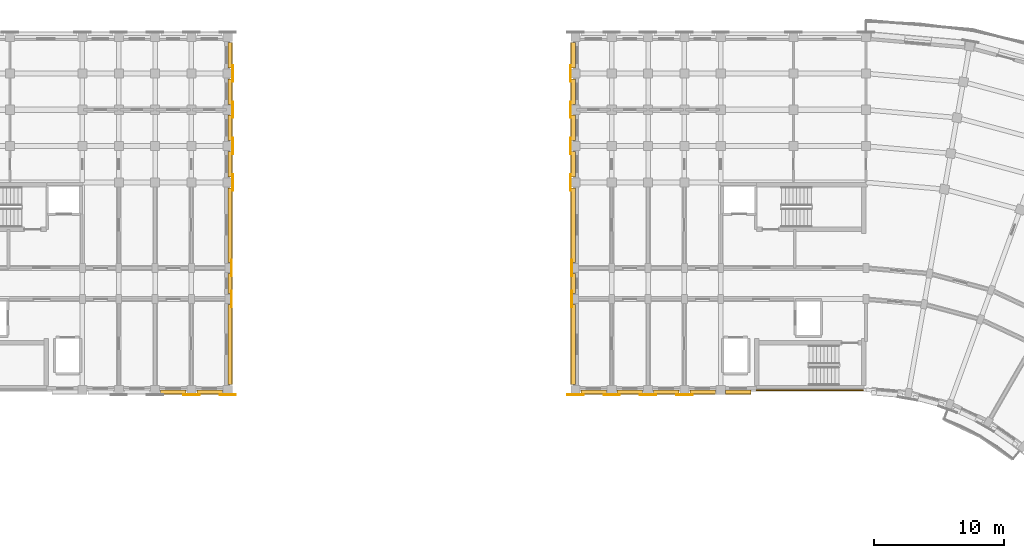
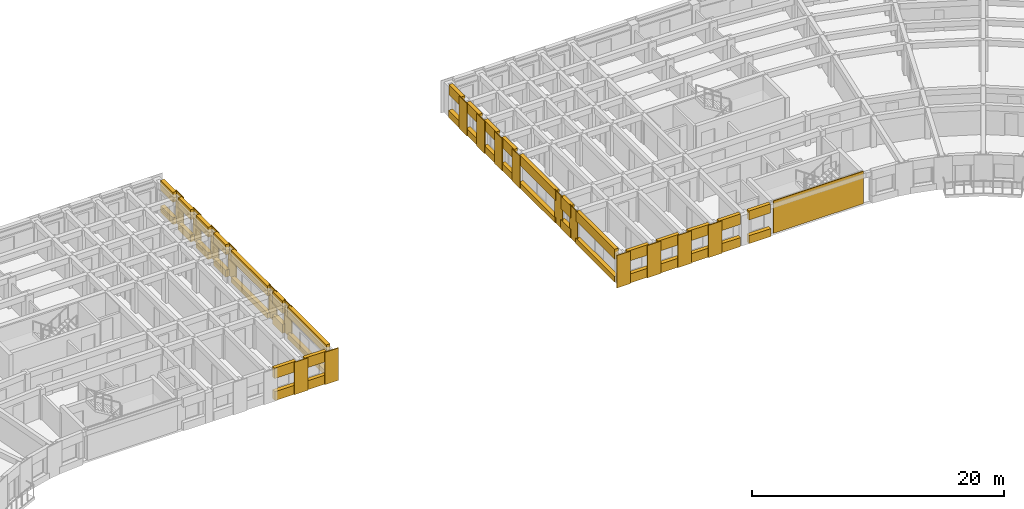
# One storey, part 51 of 57: 61 coverings.
"""IFC4 building model written with IfcOpenShell, lengths in metres."""

from ifc_helpers import new_model, si_unit, direction, frame, origin, place, context, subcontext, project, spatial, polyline, outline, extrude, material, layer, layer_set, type_object, element, save


model = new_model("IFC4")

# Units and contexts
model_context = context("Model", 3, precision=1e-05, world=origin(), true_north=direction((0.0, 1.0)))
body_context = subcontext(model_context, "Body", "Model", "MODEL_VIEW")
ifc_project = project(units=[si_unit("LENGTHUNIT", "METRE"), si_unit("AREAUNIT", "SQUARE_METRE"), si_unit("VOLUMEUNIT", "CUBIC_METRE"), si_unit("PLANEANGLEUNIT", "RADIAN"), si_unit("MASSUNIT", "GRAM", prefix="KILO")], contexts=[model_context])

# Site, building, storey
site_placement = place(None, origin())
site = spatial("IfcSite", under=ifc_project, at=site_placement, CompositionType="ELEMENT")
building_placement = place(site_placement, origin())
building = spatial("IfcBuilding", under=site, at=building_placement, Name="Kiranvali Square Residences", CompositionType="ELEMENT")
storey_placement = place(building_placement, frame((0.0, 0.0, 21.300048828125)))
storey = spatial("IfcBuildingStorey", under=building, at=storey_placement, Name="L06", CompositionType="ELEMENT", Elevation=21.300048828125)

# Coverings
ifc_material = material(Name="Honed Porbandar limestone ashlar facade cladding", Category="masonry")
ifc_layer_1 = layer(ifc_material, 0.06494140625)
ifc_layer_set_1 = layer_set([ifc_layer_1], Name="Honed Porbandar limestone ashlar facade cladding")
covering_type_1 = type_object("IfcCoveringType", Name="COV-CLAD-PIER", PredefinedType="CLADDING", material=ifc_layer_set_1)
covering_1_placement = place(storey_placement, frame((0.0, 0.0, 0.0048828125)))
element("IfcCovering", 1, at=covering_1_placement, inside=storey, type_object=covering_type_1, Name="Block B L06 garden stair limestone ashlar cladding", PredefinedType="CLADDING", context=body_context, shape_type="SweptSolid", body=[
    extrude(outline(polyline([(119.60009765625, 106.597900390625), (111.35009765625, 106.597900390625), (111.35009765625, 106.52001953125), (119.60009765625, 106.52001953125), (119.60009765625, 106.597900390625)])), origin(), (0.0, 0.0, 1.0), 3.14013671875),
])
ifc_layer_2 = layer(ifc_material, 0.050048828125)
ifc_layer_set_2 = layer_set([ifc_layer_2], Name="Honed Porbandar limestone ashlar facade cladding")
covering_type_2 = type_object("IfcCoveringType", Name="COV-CLAD-PIER-IN", PredefinedType="CLADDING", material=ifc_layer_set_2)
covering_2_placement = place(storey_placement, frame((0.0, 0.0, 0.0048828125)))
element("IfcCovering", 2, at=covering_2_placement, inside=storey, type_object=covering_type_2, Name="L06 Classical limestone pilaster casing CLAD-PRA1I-A-L06-U195", PredefinedType="CLADDING", context=body_context, shape_type="SweptSolid", body=[
    extrude(outline(polyline([(67.169921875, 106.181884765625), (68.429931640625, 106.181884765625), (68.429931640625, 106.24951171875), (67.169921875, 106.24951171875), (67.169921875, 106.181884765625)])), origin(), (0.0, 0.0, 1.0), 3.14013671875),
])
covering_3_placement = place(storey_placement, frame((0.0, 0.0, 0.0048828125)))
element("IfcCovering", 3, at=covering_3_placement, inside=storey, type_object=covering_type_2, Name="L06 Classical limestone pilaster casing CLAD-PRA1I-A-L06-U224", PredefinedType="CLADDING", context=body_context, shape_type="SweptSolid", body=[
    extrude(outline(polyline([(69.969970703125, 106.181884765625), (71.22998046875, 106.181884765625), (71.22998046875, 106.24951171875), (69.969970703125, 106.24951171875), (69.969970703125, 106.181884765625)])), origin(), (0.0, 0.0, 1.0), 3.14013671875),
])
covering_4_placement = place(storey_placement, frame((0.0, 0.0, 0.0048828125)))
element("IfcCovering", 4, at=covering_4_placement, inside=storey, type_object=covering_type_2, Name="L06 Classical limestone pilaster casing CLAD-PRA1I-B-L06-U140", PredefinedType="CLADDING", context=body_context, shape_type="SweptSolid", body=[
    extrude(outline(polyline([(106.429931640625, 106.24951171875), (105.169921875, 106.24951171875), (105.169921875, 106.181884765625), (106.429931640625, 106.181884765625), (106.429931640625, 106.24951171875)])), origin(), (0.0, 0.0, 1.0), 3.14013671875),
])
covering_5_placement = place(storey_placement, frame((0.0, 0.0, 0.0048828125)))
element("IfcCovering", 5, at=covering_5_placement, inside=storey, type_object=covering_type_2, Name="L06 Classical limestone pilaster casing CLAD-PRA1I-B-L06-U167", PredefinedType="CLADDING", context=body_context, shape_type="SweptSolid", body=[
    extrude(outline(polyline([(103.6298828125, 106.24951171875), (102.3701171875, 106.24951171875), (102.3701171875, 106.181884765625), (103.6298828125, 106.181884765625), (103.6298828125, 106.24951171875)])), origin(), (0.0, 0.0, 1.0), 3.14013671875),
])
covering_6_placement = place(storey_placement, frame((0.0, 0.0, 0.0048828125)))
element("IfcCovering", 6, at=covering_6_placement, inside=storey, type_object=covering_type_2, Name="L06 Classical limestone pilaster casing CLAD-PRA1I-B-L06-U195", PredefinedType="CLADDING", context=body_context, shape_type="SweptSolid", body=[
    extrude(outline(polyline([(100.830078125, 106.24951171875), (99.570068359375, 106.24951171875), (99.570068359375, 106.181884765625), (100.830078125, 106.181884765625), (100.830078125, 106.24951171875)])), origin(), (0.0, 0.0, 1.0), 3.14013671875),
])
covering_7_placement = place(storey_placement, frame((0.0, 0.0, 0.0048828125)))
element("IfcCovering", 7, at=covering_7_placement, inside=storey, type_object=covering_type_2, Name="L06 Classical limestone pilaster casing CLAD-PRA1I-B-L06-U224", PredefinedType="CLADDING", context=body_context, shape_type="SweptSolid", body=[
    extrude(outline(polyline([(98.030029296875, 106.24951171875), (96.77001953125, 106.24951171875), (96.77001953125, 106.181884765625), (98.030029296875, 106.181884765625), (98.030029296875, 106.24951171875)])), origin(), (0.0, 0.0, 1.0), 3.14013671875),
])
ifc_layer_3 = layer(ifc_material, 0.054931640625)
ifc_layer_set_3 = layer_set([ifc_layer_3], Name="Honed Porbandar limestone ashlar facade cladding")
covering_type_3 = type_object("IfcCoveringType", Name="COV-CLAD-PIER-UP", PredefinedType="CLADDING", material=ifc_layer_set_3)
covering_8_placement = place(storey_placement, frame((0.0, 0.0, 0.0048828125)))
element("IfcCovering", 8, at=covering_8_placement, inside=storey, type_object=covering_type_3, Name="L06 Classical limestone pilaster casing CLAD-PRA1E-A-L06-R258", PredefinedType="CLADDING", context=body_context, shape_type="SweptSolid", body=[
    extrude(outline(polyline([(70.91796875, 112.969970703125), (70.91796875, 114.22998046875), (70.8505859375, 114.22998046875), (70.8505859375, 112.969970703125), (70.91796875, 112.969970703125)])), origin(), (0.0, 0.0, 1.0), 3.14013671875),
])
covering_9_placement = place(storey_placement, frame((0.0, 0.0, 0.0048828125)))
element("IfcCovering", 9, at=covering_9_placement, inside=storey, type_object=covering_type_3, Name="L06 Classical limestone pilaster casing CLAD-PRA1E-A-L06-R282", PredefinedType="CLADDING", context=body_context, shape_type="SweptSolid", body=[
    extrude(outline(polyline([(70.91796875, 115.3701171875), (70.91796875, 116.6298828125), (70.8505859375, 116.6298828125), (70.8505859375, 115.3701171875), (70.91796875, 115.3701171875)])), origin(), (0.0, 0.0, 1.0), 3.14013671875),
])
covering_10_placement = place(storey_placement, frame((0.0, 0.0, 0.0048828125)))
element("IfcCovering", 10, at=covering_10_placement, inside=storey, type_object=covering_type_3, Name="L06 Classical limestone pilaster casing CLAD-PRA1E-A-L06-R348", PredefinedType="CLADDING", context=body_context, shape_type="SweptSolid", body=[
    extrude(outline(polyline([(71.01806640625, 121.969970703125), (71.01806640625, 123.22998046875), (70.950439453125, 123.22998046875), (70.950439453125, 121.969970703125), (71.01806640625, 121.969970703125)])), origin(), (0.0, 0.0, 1.0), 3.14013671875),
])
covering_11_placement = place(storey_placement, frame((0.0, 0.0, 0.0048828125)))
element("IfcCovering", 11, at=covering_11_placement, inside=storey, type_object=covering_type_3, Name="L06 Classical limestone pilaster casing CLAD-PRA1E-A-L06-R376", PredefinedType="CLADDING", context=body_context, shape_type="SweptSolid", body=[
    extrude(outline(polyline([(71.01806640625, 124.77001953125), (71.01806640625, 126.030029296875), (70.950439453125, 126.030029296875), (70.950439453125, 124.77001953125), (71.01806640625, 124.77001953125)])), origin(), (0.0, 0.0, 1.0), 3.14013671875),
])
covering_12_placement = place(storey_placement, frame((0.0, 0.0, 0.0048828125)))
element("IfcCovering", 12, at=covering_12_placement, inside=storey, type_object=covering_type_3, Name="L06 Classical limestone pilaster casing CLAD-PRA1E-A-L06-R404", PredefinedType="CLADDING", context=body_context, shape_type="SweptSolid", body=[
    extrude(outline(polyline([(71.01806640625, 127.570068359375), (71.01806640625, 128.830078125), (70.950439453125, 128.830078125), (70.950439453125, 127.570068359375), (71.01806640625, 127.570068359375)])), origin(), (0.0, 0.0, 1.0), 3.14013671875),
])
covering_13_placement = place(storey_placement, frame((0.0, 0.0, 0.0048828125)))
element("IfcCovering", 13, at=covering_13_placement, inside=storey, type_object=covering_type_3, Name="L06 Classical limestone pilaster casing CLAD-PRA1E-A-L06-R432", PredefinedType="CLADDING", context=body_context, shape_type="SweptSolid", body=[
    extrude(outline(polyline([(71.01806640625, 130.3701171875), (71.01806640625, 131.6298828125), (70.950439453125, 131.6298828125), (70.950439453125, 130.3701171875), (71.01806640625, 130.3701171875)])), origin(), (0.0, 0.0, 1.0), 3.14013671875),
])
covering_14_placement = place(storey_placement, frame((0.0, 0.0, 0.0048828125)))
element("IfcCovering", 14, at=covering_14_placement, inside=storey, type_object=covering_type_3, Name="L06 Classical limestone pilaster casing CLAD-PRA1E-B-L06-R258", PredefinedType="CLADDING", context=body_context, shape_type="SweptSolid", body=[
    extrude(outline(polyline([(97.1494140625, 112.969970703125), (97.1494140625, 114.22998046875), (97.08203125, 114.22998046875), (97.08203125, 112.969970703125), (97.1494140625, 112.969970703125)])), origin(), (0.0, 0.0, 1.0), 3.14013671875),
])
covering_15_placement = place(storey_placement, frame((0.0, 0.0, 0.0048828125)))
element("IfcCovering", 15, at=covering_15_placement, inside=storey, type_object=covering_type_3, Name="L06 Classical limestone pilaster casing CLAD-PRA1E-B-L06-R282", PredefinedType="CLADDING", context=body_context, shape_type="SweptSolid", body=[
    extrude(outline(polyline([(97.1494140625, 115.3701171875), (97.1494140625, 116.6298828125), (97.08203125, 116.6298828125), (97.08203125, 115.3701171875), (97.1494140625, 115.3701171875)])), origin(), (0.0, 0.0, 1.0), 3.14013671875),
])
covering_16_placement = place(storey_placement, frame((0.0, 0.0, 0.0048828125)))
element("IfcCovering", 16, at=covering_16_placement, inside=storey, type_object=covering_type_3, Name="L06 Classical limestone pilaster casing CLAD-PRA1E-B-L06-R348", PredefinedType="CLADDING", context=body_context, shape_type="SweptSolid", body=[
    extrude(outline(polyline([(97.049560546875, 121.969970703125), (97.049560546875, 123.22998046875), (96.98193359375, 123.22998046875), (96.98193359375, 121.969970703125), (97.049560546875, 121.969970703125)])), origin(), (0.0, 0.0, 1.0), 3.14013671875),
])
covering_17_placement = place(storey_placement, frame((0.0, 0.0, 0.0048828125)))
element("IfcCovering", 17, at=covering_17_placement, inside=storey, type_object=covering_type_3, Name="L06 Classical limestone pilaster casing CLAD-PRA1E-B-L06-R376", PredefinedType="CLADDING", context=body_context, shape_type="SweptSolid", body=[
    extrude(outline(polyline([(97.049560546875, 124.77001953125), (97.049560546875, 126.030029296875), (96.98193359375, 126.030029296875), (96.98193359375, 124.77001953125), (97.049560546875, 124.77001953125)])), origin(), (0.0, 0.0, 1.0), 3.14013671875),
])
covering_18_placement = place(storey_placement, frame((0.0, 0.0, 0.0048828125)))
element("IfcCovering", 18, at=covering_18_placement, inside=storey, type_object=covering_type_3, Name="L06 Classical limestone pilaster casing CLAD-PRA1E-B-L06-R404", PredefinedType="CLADDING", context=body_context, shape_type="SweptSolid", body=[
    extrude(outline(polyline([(97.049560546875, 127.570068359375), (97.049560546875, 128.830078125), (96.98193359375, 128.830078125), (96.98193359375, 127.570068359375), (97.049560546875, 127.570068359375)])), origin(), (0.0, 0.0, 1.0), 3.14013671875),
])
covering_19_placement = place(storey_placement, frame((0.0, 0.0, 0.0048828125)))
element("IfcCovering", 19, at=covering_19_placement, inside=storey, type_object=covering_type_3, Name="L06 Classical limestone pilaster casing CLAD-PRA1E-B-L06-R432", PredefinedType="CLADDING", context=body_context, shape_type="SweptSolid", body=[
    extrude(outline(polyline([(97.049560546875, 130.3701171875), (97.049560546875, 131.6298828125), (96.98193359375, 131.6298828125), (96.98193359375, 130.3701171875), (97.049560546875, 130.3701171875)])), origin(), (0.0, 0.0, 1.0), 3.14013671875),
])
ifc_layer_4 = layer(ifc_material, 0.360107421875)
ifc_layer_set_4 = layer_set([ifc_layer_4], Name="Honed Porbandar limestone ashlar facade cladding")
covering_type_4 = type_object("IfcCoveringType", Name="COV-CLAD-WALL", PredefinedType="CLADDING", material=ifc_layer_set_4)
covering_20_placement = place(storey_placement, frame((0.0, 0.0, 2.1298828125)))
element("IfcCovering", 20, at=covering_20_placement, inside=storey, type_object=covering_type_4, Name="L06 light limestone spandrel lintel A-L06-A1I-2", PredefinedType="CLADDING", context=body_context, shape_type="SweptSolid", body=[
    extrude(outline(polyline([(65.419921875, 106.280029296875), (67.3798828125, 106.280029296875), (67.3798828125, 106.599609375), (65.419921875, 106.599609375), (65.419921875, 106.280029296875)])), origin(), (0.0, 0.0, 1.0), 1.01513671875),
])
covering_21_placement = place(storey_placement, frame((0.0, 0.0, 0.0048828125)))
element("IfcCovering", 21, at=covering_21_placement, inside=storey, type_object=covering_type_4, Name="L06 limestone window sill apron A-L06-A1I-2", PredefinedType="CLADDING", context=body_context, shape_type="SweptSolid", body=[
    extrude(outline(polyline([(65.419921875, 106.25), (67.3798828125, 106.25), (67.3798828125, 106.599609375), (65.419921875, 106.599609375), (65.419921875, 106.25)])), origin(), (0.0, 0.0, 1.0), 0.875),
])
covering_22_placement = place(storey_placement, frame((0.0, 0.0, 2.1298828125)))
element("IfcCovering", 22, at=covering_22_placement, inside=storey, type_object=covering_type_4, Name="L06 light limestone spandrel lintel A-L06-A1I-3", PredefinedType="CLADDING", context=body_context, shape_type="SweptSolid", body=[
    extrude(outline(polyline([(68.219970703125, 106.280029296875), (70.179931640625, 106.280029296875), (70.179931640625, 106.599609375), (68.219970703125, 106.599609375), (68.219970703125, 106.280029296875)])), origin(), (0.0, 0.0, 1.0), 1.01513671875),
])
covering_23_placement = place(storey_placement, frame((0.0, 0.0, 0.0048828125)))
element("IfcCovering", 23, at=covering_23_placement, inside=storey, type_object=covering_type_4, Name="L06 limestone window sill apron A-L06-A1I-3", PredefinedType="CLADDING", context=body_context, shape_type="SweptSolid", body=[
    extrude(outline(polyline([(68.219970703125, 106.25), (70.179931640625, 106.25), (70.179931640625, 106.599609375), (68.219970703125, 106.599609375), (68.219970703125, 106.25)])), origin(), (0.0, 0.0, 1.0), 0.875),
])
covering_24_placement = place(storey_placement, frame((0.0, 0.0, 2.171875)))
element("IfcCovering", 24, at=covering_24_placement, inside=storey, type_object=covering_type_4, Name="L06 light limestone spandrel lintel A-L06-A1END-0", PredefinedType="CLADDING", context=body_context, shape_type="SweptSolid", body=[
    extrude(outline(polyline([(70.93994140625, 107.02001953125), (70.93994140625, 113.179931640625), (70.6005859375, 113.179931640625), (70.6005859375, 107.02001953125), (70.93994140625, 107.02001953125)])), origin(), (0.0, 0.0, 1.0), 0.97314453125),
])
covering_25_placement = place(storey_placement, frame((0.0, 0.0, 0.0048828125)))
element("IfcCovering", 25, at=covering_25_placement, inside=storey, type_object=covering_type_4, Name="L06 limestone window sill apron A-L06-A1END-0", PredefinedType="CLADDING", context=body_context, shape_type="SweptSolid", body=[
    extrude(outline(polyline([(70.969970703125, 107.02001953125), (70.969970703125, 113.179931640625), (70.6005859375, 113.179931640625), (70.6005859375, 107.02001953125), (70.969970703125, 107.02001953125)])), origin(), (0.0, 0.0, 1.0), 0.51708984375),
])
covering_26_placement = place(storey_placement, frame((0.0, 0.0, 1.929931640625)))
element("IfcCovering", 26, at=covering_26_placement, inside=storey, type_object=covering_type_4, Name="L06 light limestone spandrel lintel A-L06-A1END-1", PredefinedType="CLADDING", context=body_context, shape_type="SweptSolid", body=[
    extrude(outline(polyline([(70.93994140625, 114.02001953125), (70.93994140625, 115.580078125), (70.6005859375, 115.580078125), (70.6005859375, 114.02001953125), (70.93994140625, 114.02001953125)])), origin(), (0.0, 0.0, 1.0), 1.215087890625),
])
covering_27_placement = place(storey_placement, frame((0.0, 0.0, 0.0048828125)))
element("IfcCovering", 27, at=covering_27_placement, inside=storey, type_object=covering_type_4, Name="L06 limestone window sill apron A-L06-A1END-1", PredefinedType="CLADDING", context=body_context, shape_type="SweptSolid", body=[
    extrude(outline(polyline([(70.969970703125, 114.02001953125), (70.969970703125, 115.580078125), (70.6005859375, 115.580078125), (70.6005859375, 114.02001953125), (70.969970703125, 114.02001953125)])), origin(), (0.0, 0.0, 1.0), 0.875),
])
covering_28_placement = place(storey_placement, frame((0.0, 0.0, 2.171875)))
element("IfcCovering", 28, at=covering_28_placement, inside=storey, type_object=covering_type_4, Name="L06 light limestone spandrel lintel A-L06-A1END-2", PredefinedType="CLADDING", context=body_context, shape_type="SweptSolid", body=[
    extrude(outline(polyline([(70.93994140625, 116.419921875), (70.93994140625, 122.179931640625), (70.6005859375, 122.179931640625), (70.6005859375, 116.419921875), (70.93994140625, 116.419921875)])), origin(), (0.0, 0.0, 1.0), 0.97314453125),
])
covering_29_placement = place(storey_placement, frame((0.0, 0.0, 0.0048828125)))
element("IfcCovering", 29, at=covering_29_placement, inside=storey, type_object=covering_type_4, Name="L06 limestone window sill apron A-L06-A1END-2", PredefinedType="CLADDING", context=body_context, shape_type="SweptSolid", body=[
    extrude(outline(polyline([(70.969970703125, 116.419921875), (70.969970703125, 122.179931640625), (70.6005859375, 122.179931640625), (70.6005859375, 116.419921875), (70.969970703125, 116.419921875)])), origin(), (0.0, 0.0, 1.0), 0.51708984375),
])
covering_30_placement = place(storey_placement, frame((0.0, 0.0, 2.171875)))
element("IfcCovering", 30, at=covering_30_placement, inside=storey, type_object=covering_type_4, Name="L06 light limestone spandrel lintel A-L06-A1END-3", PredefinedType="CLADDING", context=body_context, shape_type="SweptSolid", body=[
    extrude(outline(polyline([(70.93994140625, 123.02001953125), (70.93994140625, 124.97998046875), (70.6005859375, 124.97998046875), (70.6005859375, 123.02001953125), (70.93994140625, 123.02001953125)])), origin(), (0.0, 0.0, 1.0), 0.97314453125),
])
covering_31_placement = place(storey_placement, frame((0.0, 0.0, 0.0048828125)))
element("IfcCovering", 31, at=covering_31_placement, inside=storey, type_object=covering_type_4, Name="L06 limestone window sill apron A-L06-A1END-3", PredefinedType="CLADDING", context=body_context, shape_type="SweptSolid", body=[
    extrude(outline(polyline([(70.969970703125, 123.02001953125), (70.969970703125, 124.97998046875), (70.6005859375, 124.97998046875), (70.6005859375, 123.02001953125), (70.969970703125, 123.02001953125)])), origin(), (0.0, 0.0, 1.0), 0.6669921875),
])
covering_32_placement = place(storey_placement, frame((0.0, 0.0, 2.171875)))
element("IfcCovering", 32, at=covering_32_placement, inside=storey, type_object=covering_type_4, Name="L06 light limestone spandrel lintel A-L06-A1END-4", PredefinedType="CLADDING", context=body_context, shape_type="SweptSolid", body=[
    extrude(outline(polyline([(70.93994140625, 125.820068359375), (70.93994140625, 127.780029296875), (70.6005859375, 127.780029296875), (70.6005859375, 125.820068359375), (70.93994140625, 125.820068359375)])), origin(), (0.0, 0.0, 1.0), 0.97314453125),
])
covering_33_placement = place(storey_placement, frame((0.0, 0.0, 0.0048828125)))
element("IfcCovering", 33, at=covering_33_placement, inside=storey, type_object=covering_type_4, Name="L06 limestone window sill apron A-L06-A1END-4", PredefinedType="CLADDING", context=body_context, shape_type="SweptSolid", body=[
    extrude(outline(polyline([(70.969970703125, 125.820068359375), (70.969970703125, 127.780029296875), (70.6005859375, 127.780029296875), (70.6005859375, 125.820068359375), (70.969970703125, 125.820068359375)])), origin(), (0.0, 0.0, 1.0), 0.6669921875),
])
covering_34_placement = place(storey_placement, frame((0.0, 0.0, 2.171875)))
element("IfcCovering", 34, at=covering_34_placement, inside=storey, type_object=covering_type_4, Name="L06 light limestone spandrel lintel A-L06-A1END-5", PredefinedType="CLADDING", context=body_context, shape_type="SweptSolid", body=[
    extrude(outline(polyline([(70.93994140625, 128.6201171875), (70.93994140625, 130.580078125), (70.6005859375, 130.580078125), (70.6005859375, 128.6201171875), (70.93994140625, 128.6201171875)])), origin(), (0.0, 0.0, 1.0), 0.97314453125),
])
covering_35_placement = place(storey_placement, frame((0.0, 0.0, 0.0048828125)))
element("IfcCovering", 35, at=covering_35_placement, inside=storey, type_object=covering_type_4, Name="L06 limestone window sill apron A-L06-A1END-5", PredefinedType="CLADDING", context=body_context, shape_type="SweptSolid", body=[
    extrude(outline(polyline([(70.969970703125, 128.6201171875), (70.969970703125, 130.580078125), (70.6005859375, 130.580078125), (70.6005859375, 128.6201171875), (70.969970703125, 128.6201171875)])), origin(), (0.0, 0.0, 1.0), 0.6669921875),
])
covering_36_placement = place(storey_placement, frame((0.0, 0.0, 2.171875)))
element("IfcCovering", 36, at=covering_36_placement, inside=storey, type_object=covering_type_4, Name="L06 light limestone spandrel lintel A-L06-A1END-6", PredefinedType="CLADDING", context=body_context, shape_type="SweptSolid", body=[
    extrude(outline(polyline([(70.93994140625, 131.419921875), (70.93994140625, 133.3798828125), (70.6005859375, 133.3798828125), (70.6005859375, 131.419921875), (70.93994140625, 131.419921875)])), origin(), (0.0, 0.0, 1.0), 0.97314453125),
])
covering_37_placement = place(storey_placement, frame((0.0, 0.0, 0.0048828125)))
element("IfcCovering", 37, at=covering_37_placement, inside=storey, type_object=covering_type_4, Name="L06 limestone window sill apron A-L06-A1END-6", PredefinedType="CLADDING", context=body_context, shape_type="SweptSolid", body=[
    extrude(outline(polyline([(70.969970703125, 131.419921875), (70.969970703125, 133.3798828125), (70.6005859375, 133.3798828125), (70.6005859375, 131.419921875), (70.969970703125, 131.419921875)])), origin(), (0.0, 0.0, 1.0), 0.6669921875),
])
covering_38_placement = place(storey_placement, frame((0.0, 0.0, 2.27197265625)))
element("IfcCovering", 38, at=covering_38_placement, inside=storey, type_object=covering_type_4, Name="L06 light limestone spandrel lintel B-L06-A1IN-0", PredefinedType="CLADDING", context=body_context, shape_type="SweptSolid", body=[
    extrude(outline(polyline([(110.949951171875, 106.599609375), (108.949951171875, 106.599609375), (108.949951171875, 106.280029296875), (110.949951171875, 106.280029296875), (110.949951171875, 106.599609375)])), origin(), (0.0, 0.0, 1.0), 0.873046875),
])
covering_39_placement = place(storey_placement, frame((0.0, 0.0, 0.0048828125)))
element("IfcCovering", 39, at=covering_39_placement, inside=storey, type_object=covering_type_4, Name="L06 limestone window sill apron B-L06-A1IN-0", PredefinedType="CLADDING", context=body_context, shape_type="SweptSolid", body=[
    extrude(outline(polyline([(110.949951171875, 106.599609375), (108.949951171875, 106.599609375), (108.949951171875, 106.25), (110.949951171875, 106.25), (110.949951171875, 106.599609375)])), origin(), (0.0, 0.0, 1.0), 0.76708984375),
])
covering_40_placement = place(storey_placement, frame((0.0, 0.0, 2.1298828125)))
element("IfcCovering", 40, at=covering_40_placement, inside=storey, type_object=covering_type_4, Name="L06 light limestone spandrel lintel B-L06-A1I-0", PredefinedType="CLADDING", context=body_context, shape_type="SweptSolid", body=[
    extrude(outline(polyline([(108.179931640625, 106.599609375), (106.219970703125, 106.599609375), (106.219970703125, 106.280029296875), (108.179931640625, 106.280029296875), (108.179931640625, 106.599609375)])), origin(), (0.0, 0.0, 1.0), 1.01513671875),
])
covering_41_placement = place(storey_placement, frame((0.0, 0.0, 0.0048828125)))
element("IfcCovering", 41, at=covering_41_placement, inside=storey, type_object=covering_type_4, Name="L06 limestone window sill apron B-L06-A1I-0", PredefinedType="CLADDING", context=body_context, shape_type="SweptSolid", body=[
    extrude(outline(polyline([(108.179931640625, 106.599609375), (106.219970703125, 106.599609375), (106.219970703125, 106.25), (108.179931640625, 106.25), (108.179931640625, 106.599609375)])), origin(), (0.0, 0.0, 1.0), 0.875),
])
covering_42_placement = place(storey_placement, frame((0.0, 0.0, 2.1298828125)))
element("IfcCovering", 42, at=covering_42_placement, inside=storey, type_object=covering_type_4, Name="L06 light limestone spandrel lintel B-L06-A1I-1", PredefinedType="CLADDING", context=body_context, shape_type="SweptSolid", body=[
    extrude(outline(polyline([(105.3798828125, 106.599609375), (103.419921875, 106.599609375), (103.419921875, 106.280029296875), (105.3798828125, 106.280029296875), (105.3798828125, 106.599609375)])), origin(), (0.0, 0.0, 1.0), 1.01513671875),
])
covering_43_placement = place(storey_placement, frame((0.0, 0.0, 0.0048828125)))
element("IfcCovering", 43, at=covering_43_placement, inside=storey, type_object=covering_type_4, Name="L06 limestone window sill apron B-L06-A1I-1", PredefinedType="CLADDING", context=body_context, shape_type="SweptSolid", body=[
    extrude(outline(polyline([(105.3798828125, 106.599609375), (103.419921875, 106.599609375), (103.419921875, 106.25), (105.3798828125, 106.25), (105.3798828125, 106.599609375)])), origin(), (0.0, 0.0, 1.0), 0.875),
])
covering_44_placement = place(storey_placement, frame((0.0, 0.0, 2.1298828125)))
element("IfcCovering", 44, at=covering_44_placement, inside=storey, type_object=covering_type_4, Name="L06 light limestone spandrel lintel B-L06-A1I-2", PredefinedType="CLADDING", context=body_context, shape_type="SweptSolid", body=[
    extrude(outline(polyline([(102.580078125, 106.599609375), (100.6201171875, 106.599609375), (100.6201171875, 106.280029296875), (102.580078125, 106.280029296875), (102.580078125, 106.599609375)])), origin(), (0.0, 0.0, 1.0), 1.01513671875),
])
covering_45_placement = place(storey_placement, frame((0.0, 0.0, 0.0048828125)))
element("IfcCovering", 45, at=covering_45_placement, inside=storey, type_object=covering_type_4, Name="L06 limestone window sill apron B-L06-A1I-2", PredefinedType="CLADDING", context=body_context, shape_type="SweptSolid", body=[
    extrude(outline(polyline([(102.580078125, 106.599609375), (100.6201171875, 106.599609375), (100.6201171875, 106.25), (102.580078125, 106.25), (102.580078125, 106.599609375)])), origin(), (0.0, 0.0, 1.0), 0.875),
])
covering_46_placement = place(storey_placement, frame((0.0, 0.0, 2.1298828125)))
element("IfcCovering", 46, at=covering_46_placement, inside=storey, type_object=covering_type_4, Name="L06 light limestone spandrel lintel B-L06-A1I-3", PredefinedType="CLADDING", context=body_context, shape_type="SweptSolid", body=[
    extrude(outline(polyline([(99.780029296875, 106.599609375), (97.820068359375, 106.599609375), (97.820068359375, 106.280029296875), (99.780029296875, 106.280029296875), (99.780029296875, 106.599609375)])), origin(), (0.0, 0.0, 1.0), 1.01513671875),
])
covering_47_placement = place(storey_placement, frame((0.0, 0.0, 0.0048828125)))
element("IfcCovering", 47, at=covering_47_placement, inside=storey, type_object=covering_type_4, Name="L06 limestone window sill apron B-L06-A1I-3", PredefinedType="CLADDING", context=body_context, shape_type="SweptSolid", body=[
    extrude(outline(polyline([(99.780029296875, 106.599609375), (97.820068359375, 106.599609375), (97.820068359375, 106.25), (99.780029296875, 106.25), (99.780029296875, 106.599609375)])), origin(), (0.0, 0.0, 1.0), 0.875),
])
covering_48_placement = place(storey_placement, frame((0.0, 0.0, 2.171875)))
element("IfcCovering", 48, at=covering_48_placement, inside=storey, type_object=covering_type_4, Name="L06 light limestone spandrel lintel B-L06-A1END-0", PredefinedType="CLADDING", context=body_context, shape_type="SweptSolid", body=[
    extrude(outline(polyline([(97.3994140625, 107.02001953125), (97.3994140625, 113.179931640625), (97.06005859375, 113.179931640625), (97.06005859375, 107.02001953125), (97.3994140625, 107.02001953125)])), origin(), (0.0, 0.0, 1.0), 0.97314453125),
])
covering_49_placement = place(storey_placement, frame((0.0, 0.0, 0.0048828125)))
element("IfcCovering", 49, at=covering_49_placement, inside=storey, type_object=covering_type_4, Name="L06 limestone window sill apron B-L06-A1END-0", PredefinedType="CLADDING", context=body_context, shape_type="SweptSolid", body=[
    extrude(outline(polyline([(97.3994140625, 107.02001953125), (97.3994140625, 113.179931640625), (97.030029296875, 113.179931640625), (97.030029296875, 107.02001953125), (97.3994140625, 107.02001953125)])), origin(), (0.0, 0.0, 1.0), 0.51708984375),
])
covering_50_placement = place(storey_placement, frame((0.0, 0.0, 1.929931640625)))
element("IfcCovering", 50, at=covering_50_placement, inside=storey, type_object=covering_type_4, Name="L06 light limestone spandrel lintel B-L06-A1END-1", PredefinedType="CLADDING", context=body_context, shape_type="SweptSolid", body=[
    extrude(outline(polyline([(97.3994140625, 114.02001953125), (97.3994140625, 115.580078125), (97.06005859375, 115.580078125), (97.06005859375, 114.02001953125), (97.3994140625, 114.02001953125)])), origin(), (0.0, 0.0, 1.0), 1.215087890625),
])
covering_51_placement = place(storey_placement, frame((0.0, 0.0, 0.0048828125)))
element("IfcCovering", 51, at=covering_51_placement, inside=storey, type_object=covering_type_4, Name="L06 limestone window sill apron B-L06-A1END-1", PredefinedType="CLADDING", context=body_context, shape_type="SweptSolid", body=[
    extrude(outline(polyline([(97.3994140625, 114.02001953125), (97.3994140625, 115.580078125), (97.030029296875, 115.580078125), (97.030029296875, 114.02001953125), (97.3994140625, 114.02001953125)])), origin(), (0.0, 0.0, 1.0), 0.875),
])
covering_52_placement = place(storey_placement, frame((0.0, 0.0, 2.171875)))
element("IfcCovering", 52, at=covering_52_placement, inside=storey, type_object=covering_type_4, Name="L06 light limestone spandrel lintel B-L06-A1END-2", PredefinedType="CLADDING", context=body_context, shape_type="SweptSolid", body=[
    extrude(outline(polyline([(97.3994140625, 116.419921875), (97.3994140625, 122.179931640625), (97.06005859375, 122.179931640625), (97.06005859375, 116.419921875), (97.3994140625, 116.419921875)])), origin(), (0.0, 0.0, 1.0), 0.97314453125),
])
covering_53_placement = place(storey_placement, frame((0.0, 0.0, 0.0048828125)))
element("IfcCovering", 53, at=covering_53_placement, inside=storey, type_object=covering_type_4, Name="L06 limestone window sill apron B-L06-A1END-2", PredefinedType="CLADDING", context=body_context, shape_type="SweptSolid", body=[
    extrude(outline(polyline([(97.3994140625, 116.419921875), (97.3994140625, 122.179931640625), (97.030029296875, 122.179931640625), (97.030029296875, 116.419921875), (97.3994140625, 116.419921875)])), origin(), (0.0, 0.0, 1.0), 0.51708984375),
])
covering_54_placement = place(storey_placement, frame((0.0, 0.0, 2.171875)))
element("IfcCovering", 54, at=covering_54_placement, inside=storey, type_object=covering_type_4, Name="L06 light limestone spandrel lintel B-L06-A1END-3", PredefinedType="CLADDING", context=body_context, shape_type="SweptSolid", body=[
    extrude(outline(polyline([(97.3994140625, 123.02001953125), (97.3994140625, 124.97998046875), (97.06005859375, 124.97998046875), (97.06005859375, 123.02001953125), (97.3994140625, 123.02001953125)])), origin(), (0.0, 0.0, 1.0), 0.97314453125),
])
covering_55_placement = place(storey_placement, frame((0.0, 0.0, 0.0048828125)))
element("IfcCovering", 55, at=covering_55_placement, inside=storey, type_object=covering_type_4, Name="L06 limestone window sill apron B-L06-A1END-3", PredefinedType="CLADDING", context=body_context, shape_type="SweptSolid", body=[
    extrude(outline(polyline([(97.3994140625, 123.02001953125), (97.3994140625, 124.97998046875), (97.030029296875, 124.97998046875), (97.030029296875, 123.02001953125), (97.3994140625, 123.02001953125)])), origin(), (0.0, 0.0, 1.0), 0.6669921875),
])
covering_56_placement = place(storey_placement, frame((0.0, 0.0, 2.171875)))
element("IfcCovering", 56, at=covering_56_placement, inside=storey, type_object=covering_type_4, Name="L06 light limestone spandrel lintel B-L06-A1END-4", PredefinedType="CLADDING", context=body_context, shape_type="SweptSolid", body=[
    extrude(outline(polyline([(97.3994140625, 125.820068359375), (97.3994140625, 127.780029296875), (97.06005859375, 127.780029296875), (97.06005859375, 125.820068359375), (97.3994140625, 125.820068359375)])), origin(), (0.0, 0.0, 1.0), 0.97314453125),
])
covering_57_placement = place(storey_placement, frame((0.0, 0.0, 0.0048828125)))
element("IfcCovering", 57, at=covering_57_placement, inside=storey, type_object=covering_type_4, Name="L06 limestone window sill apron B-L06-A1END-4", PredefinedType="CLADDING", context=body_context, shape_type="SweptSolid", body=[
    extrude(outline(polyline([(97.3994140625, 125.820068359375), (97.3994140625, 127.780029296875), (97.030029296875, 127.780029296875), (97.030029296875, 125.820068359375), (97.3994140625, 125.820068359375)])), origin(), (0.0, 0.0, 1.0), 0.6669921875),
])
covering_58_placement = place(storey_placement, frame((0.0, 0.0, 2.171875)))
element("IfcCovering", 58, at=covering_58_placement, inside=storey, type_object=covering_type_4, Name="L06 light limestone spandrel lintel B-L06-A1END-5", PredefinedType="CLADDING", context=body_context, shape_type="SweptSolid", body=[
    extrude(outline(polyline([(97.3994140625, 128.6201171875), (97.3994140625, 130.580078125), (97.06005859375, 130.580078125), (97.06005859375, 128.6201171875), (97.3994140625, 128.6201171875)])), origin(), (0.0, 0.0, 1.0), 0.97314453125),
])
covering_59_placement = place(storey_placement, frame((0.0, 0.0, 0.0048828125)))
element("IfcCovering", 59, at=covering_59_placement, inside=storey, type_object=covering_type_4, Name="L06 limestone window sill apron B-L06-A1END-5", PredefinedType="CLADDING", context=body_context, shape_type="SweptSolid", body=[
    extrude(outline(polyline([(97.3994140625, 128.6201171875), (97.3994140625, 130.580078125), (97.030029296875, 130.580078125), (97.030029296875, 128.6201171875), (97.3994140625, 128.6201171875)])), origin(), (0.0, 0.0, 1.0), 0.6669921875),
])
covering_60_placement = place(storey_placement, frame((0.0, 0.0, 2.171875)))
element("IfcCovering", 60, at=covering_60_placement, inside=storey, type_object=covering_type_4, Name="L06 light limestone spandrel lintel B-L06-A1END-6", PredefinedType="CLADDING", context=body_context, shape_type="SweptSolid", body=[
    extrude(outline(polyline([(97.3994140625, 131.419921875), (97.3994140625, 133.3798828125), (97.06005859375, 133.3798828125), (97.06005859375, 131.419921875), (97.3994140625, 131.419921875)])), origin(), (0.0, 0.0, 1.0), 0.97314453125),
])
covering_61_placement = place(storey_placement, frame((0.0, 0.0, 0.0048828125)))
element("IfcCovering", 61, at=covering_61_placement, inside=storey, type_object=covering_type_4, Name="L06 limestone window sill apron B-L06-A1END-6", PredefinedType="CLADDING", context=body_context, shape_type="SweptSolid", body=[
    extrude(outline(polyline([(97.3994140625, 131.419921875), (97.3994140625, 133.3798828125), (97.030029296875, 133.3798828125), (97.030029296875, 131.419921875), (97.3994140625, 131.419921875)])), origin(), (0.0, 0.0, 1.0), 0.6669921875),
])

save(model, "model.ifc")
